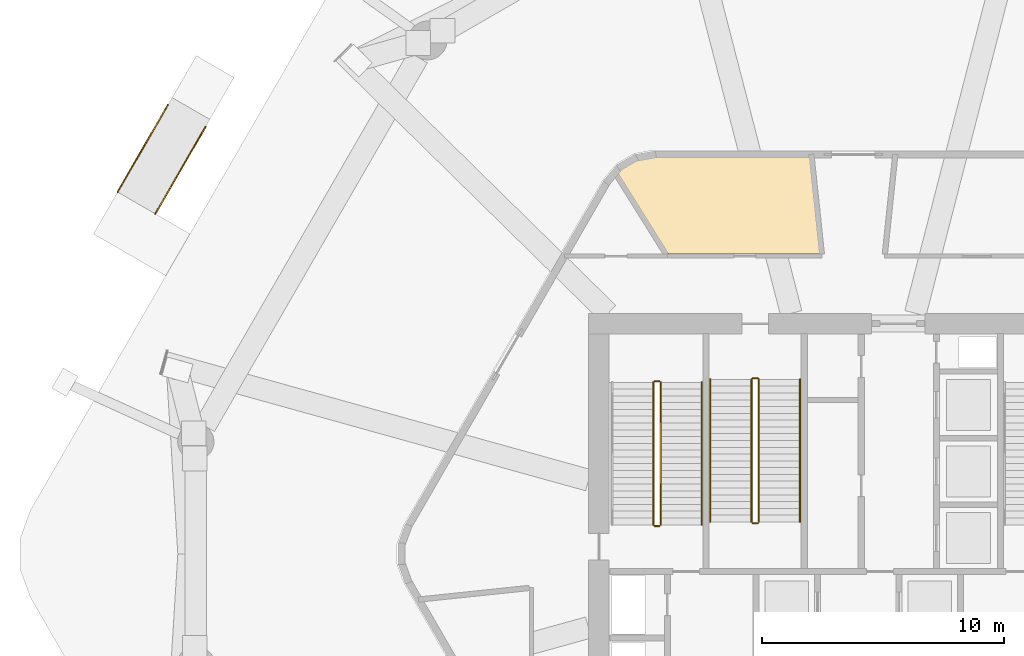
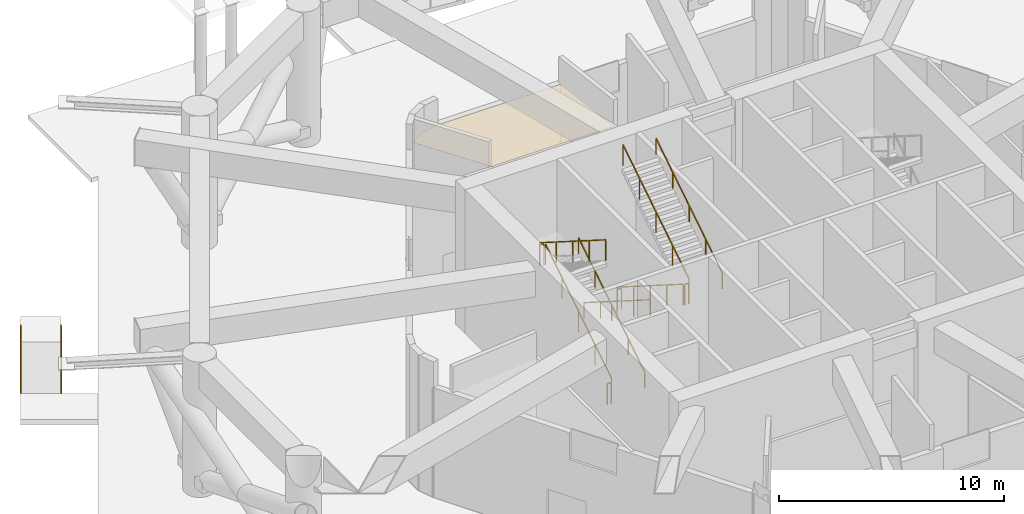
# One storey, part 14 of 17: 13 railings, 1 covering.
"""IFC4 building model written with IfcOpenShell, lengths in metres."""

from ifc_helpers import new_model, si_unit, direction, frame, origin, origin_2d, place, context, subcontext, project, spatial, polyline, rectangle, outline, extrude, material, layer, layer_set, type_object, element, save


model = new_model("IFC4")

# Units and contexts
model_context = context("Model", 3, precision=1e-05, world=origin(), true_north=direction((0.0, 1.0)))
body_context = subcontext(model_context, "Body", "Model", "MODEL_VIEW")
ifc_project = project(units=[si_unit("LENGTHUNIT", "METRE"), si_unit("AREAUNIT", "SQUARE_METRE"), si_unit("VOLUMEUNIT", "CUBIC_METRE"), si_unit("PLANEANGLEUNIT", "RADIAN"), si_unit("MASSUNIT", "GRAM", prefix="KILO")], contexts=[model_context])

# Site, building, storey
site_placement = place(None, origin())
site = spatial("IfcSite", under=ifc_project, at=site_placement, CompositionType="ELEMENT")
building_placement = place(site_placement, origin())
building = spatial("IfcBuilding", under=site, at=building_placement, Name="Zuhravey Tower", CompositionType="ELEMENT")
storey_placement = place(building_placement, origin())
storey = spatial("IfcBuildingStorey", under=building, at=storey_placement, Name="L01", CompositionType="ELEMENT", Elevation=0.0)

# Railings
ifc_material_1 = material(Name="Stainless steel 316 and laminated glass", Category="steel")
railing_type_1 = type_object("IfcRailingType", Name="Balcony & Terrace Guardrail 1150", PredefinedType="BALUSTRADE", material=ifc_material_1)
for number, where, name in (
    (1, (9.27099609375, 49.6259765625, -0.300048828125), "L01 Accessible Ramp 03 Handrail L"),
    (2, (7.712158203125, 50.52587890625, -0.300048828125), "L01 Accessible Ramp 03 Handrail R"),
):
    element("IfcRailing", number, at=place(storey_placement, frame(where)), inside=storey, type_object=railing_type_1, Name=name, PredefinedType="BALUSTRADE", context=body_context, shape_type="SweptSolid", body=[
        extrude(rectangle(XDim=0.048095703125, YDim=0.048095703125, at=origin_2d()), frame((-0.0009765625, -0.001708984375, 1.1259765625), z_axis=(-0.498690597145, -0.863775065369, 0.072113277314), x_axis=(0.86602981871, -0.499992353047, 0.0)), (0.0, 0.0, 1.0), 4.15673828125),
        extrude(rectangle(XDim=0.0419921875, YDim=0.0419921875, at=origin_2d()), origin(), (0.0, 0.0, 1.0), 1.099853515625),
        extrude(rectangle(XDim=0.0419921875, YDim=0.0419921875, at=origin_2d()), frame((-0.691650390625, -1.197998046875, 0.10009765625)), (0.0, 0.0, 1.0), 1.099853515625),
        extrude(rectangle(XDim=0.0419921875, YDim=0.0419921875, at=origin_2d()), frame((-1.38330078125, -2.39599609375, 0.199951171875)), (0.0, 0.0, 1.0), 1.099853515625),
        extrude(rectangle(XDim=0.0419921875, YDim=0.0419921875, at=origin_2d()), frame((-2.074951171875, -3.593994140625, 0.300048828125)), (0.0, 0.0, 1.0), 1.099853515625),
    ])

# Covering
ifc_material_2 = material(Name="Moisture-resistant gypsum ceiling board")
ifc_layer = layer(ifc_material_2, 0.02001953125)
ifc_layer_set = layer_set([ifc_layer], Name="Moisture-resistant gypsum ceiling board")
covering_type = type_object("IfcCoveringType", Name="Moisture-Resistant Ceiling", PredefinedType="CEILING", material=ifc_layer_set)
covering_placement = place(storey_placement, frame((0.0, 0.0, 5.889892578125)))
element("IfcCovering", 3, at=covering_placement, inside=storey, type_object=covering_type, Name="L01 Wet-Room Ceiling CLG2", PredefinedType="CEILING", context=body_context, shape_type="SweptSolid", body=[
    extrude(outline(polyline([(26.399658203125, 47.87939453125), (27.048095703125, 48.25390625), (27.806640625, 48.3876953125), (34.197021484375, 48.3876953125), (34.619873046875, 44.364990234375), (28.367919921875, 44.364990234375), (26.26904296875, 47.723876953125), (26.399658203125, 47.87939453125)])), origin(), (0.0, 0.0, 1.0), 0.02001953125),
])

# Railings
ifc_material_3 = material(Name="Brushed stainless steel", Category="steel")
railing_type_2 = type_object("IfcRailingType", Name="Stair Wall Handrail 900", PredefinedType="HANDRAIL", material=ifc_material_3)
railing_1_placement = place(storey_placement, frame((29.75, 33.199951171875, 0.17724609375)))
element("IfcRailing", 4, at=railing_1_placement, inside=storey, type_object=railing_type_2, Name="L01 ST1 stair handrail 1", PredefinedType="HANDRAIL", context=body_context, shape_type="SweptSolid", body=[
    extrude(rectangle(XDim=0.048095703125, YDim=0.048095703125, at=origin_2d()), frame((0.0, 0.001708984375, 0.876953125), z_axis=(0.0, 0.844911562809, 0.534906020748), x_axis=(-1.0, 0.0, 0.0)), (0.0, 0.0, 1.0), 6.95556640625),
    extrude(rectangle(XDim=0.0419921875, YDim=0.0419921875, at=origin_2d()), origin(), (0.0, 0.0, 1.0), 0.849853515625),
    extrude(rectangle(XDim=0.0419921875, YDim=0.0419921875, at=origin_2d()), frame((0.0, 1.469970703125, 0.9306640625)), (0.0, 0.0, 1.0), 0.849853515625),
    extrude(rectangle(XDim=0.0419921875, YDim=0.0419921875, at=origin_2d()), frame((0.0, 2.93994140625, 1.861328125)), (0.0, 0.0, 1.0), 0.849853515625),
    extrude(rectangle(XDim=0.0419921875, YDim=0.0419921875, at=origin_2d()), frame((0.0, 4.41015625, 2.7919921875)), (0.0, 0.0, 1.0), 0.849853515625),
    extrude(rectangle(XDim=0.0419921875, YDim=0.0419921875, at=origin_2d()), frame((0.0, 5.880126953125, 3.72265625)), (0.0, 0.0, 1.0), 0.849853515625),
])
railing_2_placement = place(storey_placement, frame((30.10009765625, 39.199951171875, 0.17724609375)))
element("IfcRailing", 5, at=railing_2_placement, inside=storey, type_object=railing_type_2, Name="L01 ST3 stair handrail 1", PredefinedType="HANDRAIL", context=body_context, shape_type="SweptSolid", body=[
    extrude(rectangle(XDim=0.048095703125, YDim=0.048095703125, at=origin_2d()), frame((0.0, -0.001708984375, 0.876953125), z_axis=(0.0, -0.844901525001, 0.534921875652), x_axis=(1.0, 0.0, 0.0)), (0.0, 0.0, 1.0), 6.955322265625),
    extrude(rectangle(XDim=0.0419921875, YDim=0.0419921875, at=origin_2d()), origin(), (0.0, 0.0, 1.0), 0.849853515625),
    extrude(rectangle(XDim=0.0419921875, YDim=0.0419921875, at=origin_2d()), frame((0.0, -1.469970703125, 0.9306640625)), (0.0, 0.0, 1.0), 0.849853515625),
    extrude(rectangle(XDim=0.0419921875, YDim=0.0419921875, at=origin_2d()), frame((0.0, -2.93994140625, 1.861328125)), (0.0, 0.0, 1.0), 0.849853515625),
    extrude(rectangle(XDim=0.0419921875, YDim=0.0419921875, at=origin_2d()), frame((0.0, -4.409912109375, 2.7919921875)), (0.0, 0.0, 1.0), 0.849853515625),
    extrude(rectangle(XDim=0.0419921875, YDim=0.0419921875, at=origin_2d()), frame((0.0, -5.8798828125, 3.72265625)), (0.0, 0.0, 1.0), 0.849853515625),
])
railing_3_placement = place(storey_placement, frame((33.800048828125, 33.320068359375, 4.077392578125)))
element("IfcRailing", 6, at=railing_3_placement, inside=storey, type_object=railing_type_2, Name="L01 ST3 stair handrail 2", PredefinedType="HANDRAIL", context=body_context, shape_type="SweptSolid", body=[
    extrude(rectangle(XDim=0.048095703125, YDim=0.048095703125, at=origin_2d()), frame((0.0, 0.001708984375, 0.876953125), z_axis=(0.0, 0.844901525001, 0.534921875652), x_axis=(-1.0, 0.0, 0.0)), (0.0, 0.0, 1.0), 6.955322265625),
    extrude(rectangle(XDim=0.0419921875, YDim=0.0419921875, at=origin_2d()), origin(), (0.0, 0.0, 1.0), 0.849853515625),
    extrude(rectangle(XDim=0.0419921875, YDim=0.0419921875, at=origin_2d()), frame((0.0, 1.469970703125, 0.9306640625)), (0.0, 0.0, 1.0), 0.849853515625),
    extrude(rectangle(XDim=0.0419921875, YDim=0.0419921875, at=origin_2d()), frame((0.0, 2.93994140625, 1.861328125)), (0.0, 0.0, 1.0), 0.849853515625),
    extrude(rectangle(XDim=0.0419921875, YDim=0.0419921875, at=origin_2d()), frame((0.0, 4.409912109375, 2.7919921875)), (0.0, 0.0, 1.0), 0.849853515625),
    extrude(rectangle(XDim=0.0419921875, YDim=0.0419921875, at=origin_2d()), frame((0.0, 5.8798828125, 3.72265625)), (0.0, 0.0, 1.0), 0.849853515625),
])
ifc_material_4 = material(Name="Painted tubular steel", Category="steel")
railing_type_3 = type_object("IfcRailingType", Name="Stair Well Guardrail 1150", PredefinedType="GUARDRAIL", material=ifc_material_4)
railing_4_placement = place(storey_placement, frame((28.050048828125, 33.199951171875, 0.17724609375)))
element("IfcRailing", 7, at=railing_4_placement, inside=storey, type_object=railing_type_3, Name="L01 ST1 stair guard 1", PredefinedType="GUARDRAIL", context=body_context, shape_type="SweptSolid", body=[
    extrude(rectangle(XDim=0.048095703125, YDim=0.048095703125, at=origin_2d()), frame((0.0, 0.001708984375, 1.126953125), z_axis=(0.0, 0.844911562809, 0.534906020748), x_axis=(-1.0, 0.0, 0.0)), (0.0, 0.0, 1.0), 6.95556640625),
    extrude(rectangle(XDim=0.0419921875, YDim=0.0419921875, at=origin_2d()), origin(), (0.0, 0.0, 1.0), 1.099853515625),
    extrude(rectangle(XDim=0.0419921875, YDim=0.0419921875, at=origin_2d()), frame((0.0, 1.469970703125, 0.9306640625)), (0.0, 0.0, 1.0), 1.099853515625),
    extrude(rectangle(XDim=0.0419921875, YDim=0.0419921875, at=origin_2d()), frame((0.0, 2.93994140625, 1.861328125)), (0.0, 0.0, 1.0), 1.099853515625),
    extrude(rectangle(XDim=0.0419921875, YDim=0.0419921875, at=origin_2d()), frame((0.0, 4.41015625, 2.7919921875)), (0.0, 0.0, 1.0), 1.099853515625),
    extrude(rectangle(XDim=0.0419921875, YDim=0.0419921875, at=origin_2d()), frame((0.0, 5.880126953125, 3.72265625)), (0.0, 0.0, 1.0), 1.099853515625),
])
railing_5_placement = place(storey_placement, frame((28.0, 39.1298828125, 3.89990234375)))
element("IfcRailing", 8, at=railing_5_placement, inside=storey, type_object=railing_type_3, Name="L01 ST1 stair guard 2", PredefinedType="GUARDRAIL", context=body_context, shape_type="SweptSolid", body=[
    extrude(rectangle(XDim=0.048095703125, YDim=0.048095703125, at=origin_2d()), frame((-0.001953125, 0.0, 1.1259765625), z_axis=(-1.0, 0.0, 0.0), x_axis=(0.0, -1.0, 0.0)), (0.0, 0.0, 1.0), 0.196044921875),
    extrude(rectangle(XDim=0.0419921875, YDim=0.0419921875, at=origin_2d()), origin(), (0.0, 0.0, 1.0), 1.099853515625),
    extrude(rectangle(XDim=0.0419921875, YDim=0.0419921875, at=origin_2d()), frame((-0.199951171875, 0.0, 0.0)), (0.0, 0.0, 1.0), 1.099853515625),
])
railing_6_placement = place(storey_placement, frame((27.75, 39.080078125, 4.077392578125)))
element("IfcRailing", 9, at=railing_6_placement, inside=storey, type_object=railing_type_3, Name="L01 ST1 stair guard 3", PredefinedType="GUARDRAIL", context=body_context, shape_type="SweptSolid", body=[
    extrude(rectangle(XDim=0.048095703125, YDim=0.048095703125, at=origin_2d()), frame((0.0, -0.001708984375, 1.126953125), z_axis=(0.0, -0.844911562809, 0.534906020748), x_axis=(1.0, 0.0, 0.0)), (0.0, 0.0, 1.0), 6.95556640625),
    extrude(rectangle(XDim=0.0419921875, YDim=0.0419921875, at=origin_2d()), origin(), (0.0, 0.0, 1.0), 1.099853515625),
    extrude(rectangle(XDim=0.0419921875, YDim=0.0419921875, at=origin_2d()), frame((0.0, -1.469970703125, 0.9306640625)), (0.0, 0.0, 1.0), 1.099853515625),
    extrude(rectangle(XDim=0.0419921875, YDim=0.0419921875, at=origin_2d()), frame((0.0, -2.93994140625, 1.861328125)), (0.0, 0.0, 1.0), 1.099853515625),
    extrude(rectangle(XDim=0.0419921875, YDim=0.0419921875, at=origin_2d()), frame((0.0, -4.41015625, 2.7919921875)), (0.0, 0.0, 1.0), 1.099853515625),
    extrude(rectangle(XDim=0.0419921875, YDim=0.0419921875, at=origin_2d()), frame((0.0, -5.880126953125, 3.72265625)), (0.0, 0.0, 1.0), 1.099853515625),
])
railing_7_placement = place(storey_placement, frame((28.0, 33.14990234375, 0.0)))
element("IfcRailing", 10, at=railing_7_placement, inside=storey, type_object=railing_type_3, Name="L01 ST1 stair guard 4", PredefinedType="GUARDRAIL", context=body_context, shape_type="SweptSolid", body=[
    extrude(rectangle(XDim=0.048095703125, YDim=0.048095703125, at=origin_2d()), frame((-0.001953125, 0.0, 1.1259765625), z_axis=(-1.0, 0.0, 0.0), x_axis=(0.0, -1.0, 0.0)), (0.0, 0.0, 1.0), 0.196044921875),
    extrude(rectangle(XDim=0.0419921875, YDim=0.0419921875, at=origin_2d()), origin(), (0.0, 0.0, 1.0), 1.099853515625),
    extrude(rectangle(XDim=0.0419921875, YDim=0.0419921875, at=origin_2d()), frame((-0.199951171875, 0.0, 0.0)), (0.0, 0.0, 1.0), 1.099853515625),
])
railing_8_placement = place(storey_placement, frame((31.800048828125, 39.199951171875, 0.17724609375)))
element("IfcRailing", 11, at=railing_8_placement, inside=storey, type_object=railing_type_3, Name="L01 ST3 stair guard 1", PredefinedType="GUARDRAIL", context=body_context, shape_type="SweptSolid", body=[
    extrude(rectangle(XDim=0.048095703125, YDim=0.048095703125, at=origin_2d()), frame((0.0, -0.001708984375, 1.126953125), z_axis=(0.0, -0.844901525001, 0.534921875652), x_axis=(1.0, 0.0, 0.0)), (0.0, 0.0, 1.0), 6.955322265625),
    extrude(rectangle(XDim=0.0419921875, YDim=0.0419921875, at=origin_2d()), origin(), (0.0, 0.0, 1.0), 1.099853515625),
    extrude(rectangle(XDim=0.0419921875, YDim=0.0419921875, at=origin_2d()), frame((0.0, -1.469970703125, 0.9306640625)), (0.0, 0.0, 1.0), 1.099853515625),
    extrude(rectangle(XDim=0.0419921875, YDim=0.0419921875, at=origin_2d()), frame((0.0, -2.93994140625, 1.861328125)), (0.0, 0.0, 1.0), 1.099853515625),
    extrude(rectangle(XDim=0.0419921875, YDim=0.0419921875, at=origin_2d()), frame((0.0, -4.409912109375, 2.7919921875)), (0.0, 0.0, 1.0), 1.099853515625),
    extrude(rectangle(XDim=0.0419921875, YDim=0.0419921875, at=origin_2d()), frame((0.0, -5.8798828125, 3.72265625)), (0.0, 0.0, 1.0), 1.099853515625),
])
railing_9_placement = place(storey_placement, frame((31.85009765625, 33.27001953125, 3.89990234375)))
element("IfcRailing", 12, at=railing_9_placement, inside=storey, type_object=railing_type_3, Name="L01 ST3 stair guard 2", PredefinedType="GUARDRAIL", context=body_context, shape_type="SweptSolid", body=[
    extrude(rectangle(XDim=0.048095703125, YDim=0.048095703125, at=origin_2d()), frame((0.001953125, 0.0, 1.1259765625), z_axis=(1.0, 0.0, 0.0), x_axis=(0.0, 1.0, 0.0)), (0.0, 0.0, 1.0), 0.196044921875),
    extrude(rectangle(XDim=0.0419921875, YDim=0.0419921875, at=origin_2d()), origin(), (0.0, 0.0, 1.0), 1.099853515625),
    extrude(rectangle(XDim=0.0419921875, YDim=0.0419921875, at=origin_2d()), frame((0.199951171875, 0.0, 0.0)), (0.0, 0.0, 1.0), 1.099853515625),
])
railing_10_placement = place(storey_placement, frame((32.10009765625, 33.320068359375, 4.077392578125)))
element("IfcRailing", 13, at=railing_10_placement, inside=storey, type_object=railing_type_3, Name="L01 ST3 stair guard 3", PredefinedType="GUARDRAIL", context=body_context, shape_type="SweptSolid", body=[
    extrude(rectangle(XDim=0.048095703125, YDim=0.048095703125, at=origin_2d()), frame((0.0, 0.001708984375, 1.126953125), z_axis=(0.0, 0.844901525001, 0.534921875652), x_axis=(-1.0, 0.0, 0.0)), (0.0, 0.0, 1.0), 6.955322265625),
    extrude(rectangle(XDim=0.0419921875, YDim=0.0419921875, at=origin_2d()), origin(), (0.0, 0.0, 1.0), 1.099853515625),
    extrude(rectangle(XDim=0.0419921875, YDim=0.0419921875, at=origin_2d()), frame((0.0, 1.469970703125, 0.9306640625)), (0.0, 0.0, 1.0), 1.099853515625),
    extrude(rectangle(XDim=0.0419921875, YDim=0.0419921875, at=origin_2d()), frame((0.0, 2.93994140625, 1.861328125)), (0.0, 0.0, 1.0), 1.099853515625),
    extrude(rectangle(XDim=0.0419921875, YDim=0.0419921875, at=origin_2d()), frame((0.0, 4.409912109375, 2.7919921875)), (0.0, 0.0, 1.0), 1.099853515625),
    extrude(rectangle(XDim=0.0419921875, YDim=0.0419921875, at=origin_2d()), frame((0.0, 5.8798828125, 3.72265625)), (0.0, 0.0, 1.0), 1.099853515625),
])
railing_11_placement = place(storey_placement, frame((31.85009765625, 39.25, 0.0)))
element("IfcRailing", 14, at=railing_11_placement, inside=storey, type_object=railing_type_3, Name="L01 ST3 stair guard 4", PredefinedType="GUARDRAIL", context=body_context, shape_type="SweptSolid", body=[
    extrude(rectangle(XDim=0.048095703125, YDim=0.048095703125, at=origin_2d()), frame((0.001953125, 0.0, 1.1259765625), z_axis=(1.0, 0.0, 0.0), x_axis=(0.0, 1.0, 0.0)), (0.0, 0.0, 1.0), 0.196044921875),
    extrude(rectangle(XDim=0.0419921875, YDim=0.0419921875, at=origin_2d()), origin(), (0.0, 0.0, 1.0), 1.099853515625),
    extrude(rectangle(XDim=0.0419921875, YDim=0.0419921875, at=origin_2d()), frame((0.199951171875, 0.0, 0.0)), (0.0, 0.0, 1.0), 1.099853515625),
])

save(model, "model.ifc")
